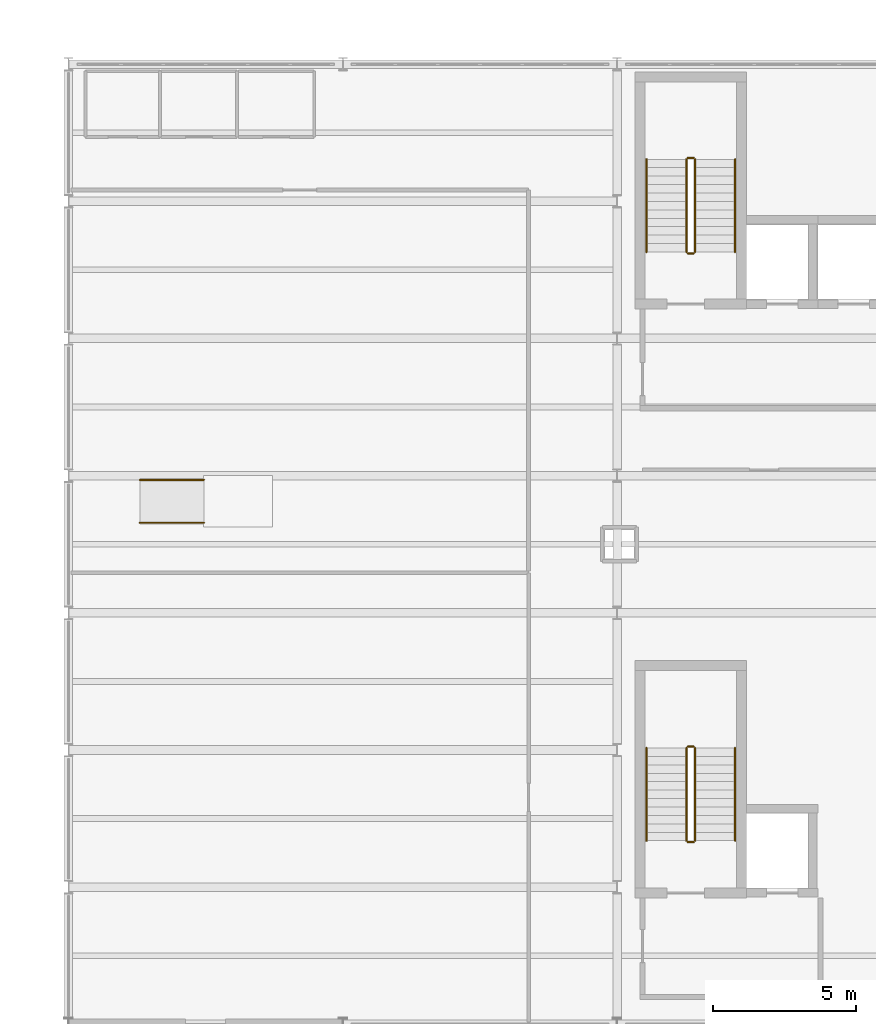
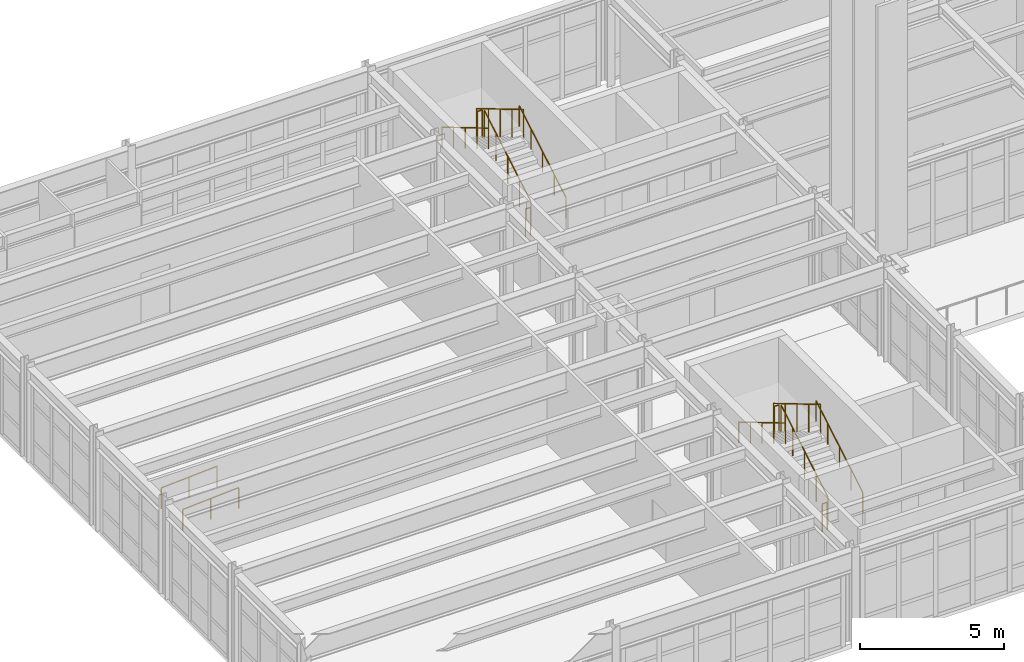
# One storey, part 45 of 47: 14 railings.
"""IFC4 building model written with IfcOpenShell, lengths in metres."""

from ifc_helpers import new_model, si_unit, direction, frame, origin, origin_2d, place, context, subcontext, project, spatial, circle, extrude, material, layer, layer_set, type_object, element, save


model = new_model("IFC4")

# Units and contexts
model_context = context("Model", 3, precision=1e-05, world=origin(), true_north=direction((0.0, 1.0)))
body_context = subcontext(model_context, "Body", "Model", "MODEL_VIEW")
ifc_project = project(units=[si_unit("LENGTHUNIT", "METRE"), si_unit("AREAUNIT", "SQUARE_METRE"), si_unit("VOLUMEUNIT", "CUBIC_METRE"), si_unit("PLANEANGLEUNIT", "RADIAN"), si_unit("MASSUNIT", "GRAM", prefix="KILO")], contexts=[model_context])

# Site, building, storey
site_placement = place(None, origin())
site = spatial("IfcSite", under=ifc_project, at=site_placement, CompositionType="ELEMENT")
building_placement = place(site_placement, origin())
building = spatial("IfcBuilding", under=site, at=building_placement, Name="Nordkorset Police Headquarters", CompositionType="ELEMENT")
storey_placement = place(building_placement, frame((0.0, 0.0, 22.050048828125)))
storey = spatial("IfcBuildingStorey", under=building, at=storey_placement, Name="L05", CompositionType="ELEMENT", Elevation=22.050048828125)

# Railings
ifc_material_1 = material(Name="Steel S355J2", Category="steel")
ifc_layer_1 = layer(ifc_material_1, 0.048095703125, Name="Steel S355J2")
ifc_layer_set_1 = layer_set([ifc_layer_1], Name="Steel S355J2")
railing_type_1 = type_object("IfcRailingType", Name="Railing_Handrail_900", PredefinedType="HANDRAIL", material=ifc_layer_set_1)
railing_1_placement = place(storey_placement, frame((23.324951171875, 110.22509765625, 0.175048828125)))
element("IfcRailing", 1, at=railing_1_placement, inside=storey, type_object=railing_type_1, Name="L05 ST-01 stair handrail 1", PredefinedType="HANDRAIL", context=body_context, shape_type="SweptSolid", body=[
    extrude(circle(Radius=0.02392578125, at=origin_2d()), frame((0.0, 0.0, 0.8759765625), z_axis=(0.0, 0.860068610471, 0.510178385746), x_axis=(-1.0, 0.0, 0.0)), (0.0, 0.0, 1.0), 3.772705078125),
    extrude(circle(Radius=0.02099609375, at=origin_2d()), origin(), (0.0, 0.0, 1.0), 0.851806640625),
    extrude(circle(Radius=0.02099609375, at=origin_2d()), frame((0.0, 0.811279296875, 0.481201171875)), (0.0, 0.0, 1.0), 0.851806640625),
    extrude(circle(Radius=0.02099609375, at=origin_2d()), frame((0.0, 1.62255859375, 0.96240234375)), (0.0, 0.0, 1.0), 0.851806640625),
    extrude(circle(Radius=0.02099609375, at=origin_2d()), frame((0.0, 2.43359375, 1.443603515625)), (0.0, 0.0, 1.0), 0.851806640625),
    extrude(circle(Radius=0.02099609375, at=origin_2d()), frame((0.0, 3.244873046875, 1.9248046875)), (0.0, 0.0, 1.0), 0.851806640625),
])
railing_2_placement = place(storey_placement, frame((20.22509765625, 113.469970703125, 2.27490234375)))
element("IfcRailing", 2, at=railing_2_placement, inside=storey, type_object=railing_type_1, Name="L05 ST-01 stair handrail 2", PredefinedType="HANDRAIL", context=body_context, shape_type="SweptSolid", body=[
    extrude(circle(Radius=0.02392578125, at=origin_2d()), frame((0.0, 0.0, 0.8759765625), z_axis=(0.0, -0.860040215814, 0.510226250974), x_axis=(1.0, 0.0, 0.0)), (0.0, 0.0, 1.0), 3.77294921875),
    extrude(circle(Radius=0.02099609375, at=origin_2d()), origin(), (0.0, 0.0, 1.0), 0.851806640625),
    extrude(circle(Radius=0.02099609375, at=origin_2d()), frame((0.0, -0.811279296875, 0.481201171875)), (0.0, 0.0, 1.0), 0.851806640625),
    extrude(circle(Radius=0.02099609375, at=origin_2d()), frame((0.0, -1.62255859375, 0.96240234375)), (0.0, 0.0, 1.0), 0.851806640625),
    extrude(circle(Radius=0.02099609375, at=origin_2d()), frame((0.0, -2.43359375, 1.44384765625)), (0.0, 0.0, 1.0), 0.851806640625),
    extrude(circle(Radius=0.02099609375, at=origin_2d()), frame((0.0, -3.244873046875, 1.925048828125)), (0.0, 0.0, 1.0), 0.851806640625),
])
railing_3_placement = place(storey_placement, frame((23.324951171875, 89.625, 0.175048828125)))
element("IfcRailing", 3, at=railing_3_placement, inside=storey, type_object=railing_type_1, Name="L05 ST-03 stair handrail 1", PredefinedType="HANDRAIL", context=body_context, shape_type="SweptSolid", body=[
    extrude(circle(Radius=0.02392578125, at=origin_2d()), frame((0.0, 0.0, 0.8759765625), z_axis=(0.0, 0.860085452069, 0.510149992786), x_axis=(-1.0, 0.0, 0.0)), (0.0, 0.0, 1.0), 3.77294921875),
    extrude(circle(Radius=0.02099609375, at=origin_2d()), origin(), (0.0, 0.0, 1.0), 0.851806640625),
    extrude(circle(Radius=0.02099609375, at=origin_2d()), frame((0.0, 0.811279296875, 0.481201171875)), (0.0, 0.0, 1.0), 0.851806640625),
    extrude(circle(Radius=0.02099609375, at=origin_2d()), frame((0.0, 1.62255859375, 0.96240234375)), (0.0, 0.0, 1.0), 0.851806640625),
    extrude(circle(Radius=0.02099609375, at=origin_2d()), frame((0.0, 2.433837890625, 1.443603515625)), (0.0, 0.0, 1.0), 0.851806640625),
    extrude(circle(Radius=0.02099609375, at=origin_2d()), frame((0.0, 3.2451171875, 1.9248046875)), (0.0, 0.0, 1.0), 0.851806640625),
])
railing_4_placement = place(storey_placement, frame((20.22509765625, 92.8701171875, 2.27490234375)))
element("IfcRailing", 4, at=railing_4_placement, inside=storey, type_object=railing_type_1, Name="L05 ST-03 stair handrail 2", PredefinedType="HANDRAIL", context=body_context, shape_type="SweptSolid", body=[
    extrude(circle(Radius=0.02392578125, at=origin_2d()), frame((0.0, 0.0, 0.8759765625), z_axis=(0.0, -0.860057060016, 0.510197857224), x_axis=(1.0, 0.0, 0.0)), (0.0, 0.0, 1.0), 3.773193359375),
    extrude(circle(Radius=0.02099609375, at=origin_2d()), origin(), (0.0, 0.0, 1.0), 0.851806640625),
    extrude(circle(Radius=0.02099609375, at=origin_2d()), frame((0.0, -0.811279296875, 0.481201171875)), (0.0, 0.0, 1.0), 0.851806640625),
    extrude(circle(Radius=0.02099609375, at=origin_2d()), frame((0.0, -1.62255859375, 0.96240234375)), (0.0, 0.0, 1.0), 0.851806640625),
    extrude(circle(Radius=0.02099609375, at=origin_2d()), frame((0.0, -2.433837890625, 1.44384765625)), (0.0, 0.0, 1.0), 0.851806640625),
    extrude(circle(Radius=0.02099609375, at=origin_2d()), frame((0.0, -3.2451171875, 1.925048828125)), (0.0, 0.0, 1.0), 0.851806640625),
])
for number, where, name in (
    (5, (2.5, 100.75, 0.0), "Hearing Room Dais Ramp Handrail S"),
    (6, (2.5, 102.25, 0.0), "Hearing Room Dais Ramp Handrail N"),
):
    element("IfcRailing", number, at=place(storey_placement, frame(where)), inside=storey, type_object=railing_type_1, Name=name, PredefinedType="HANDRAIL", context=body_context, shape_type="SweptSolid", body=[
        extrude(circle(Radius=0.02392578125, at=origin_2d()), frame((0.0, 0.0, 0.8759765625), z_axis=(0.998055540234, 0.0, 0.06233088006), x_axis=(0.0, 1.0, 0.0)), (0.0, 0.0, 1.0), 2.244384765625),
        extrude(circle(Radius=0.02099609375, at=origin_2d()), origin(), (0.0, 0.0, 1.0), 0.851806640625),
        extrude(circle(Radius=0.02099609375, at=origin_2d()), frame((1.1201171875, 0.0, 0.06982421875)), (0.0, 0.0, 1.0), 0.851806640625),
        extrude(circle(Radius=0.02099609375, at=origin_2d()), frame((2.239990234375, 0.0, 0.139892578125)), (0.0, 0.0, 1.0), 0.851806640625),
    ])
ifc_material_2 = material(Name="Steel S355J2", Category="steel")
ifc_layer_2 = layer(ifc_material_2, 0.050048828125, Name="Steel S355J2")
ifc_layer_set_2 = layer_set([ifc_layer_2], Name="Steel S355J2")
railing_type_2 = type_object("IfcRailingType", Name="Railing_StairGuard_1200", PredefinedType="GUARDRAIL", material=ifc_layer_set_2)
railing_5_placement = place(storey_placement, frame((21.925048828125, 110.22509765625, 0.175048828125)))
element("IfcRailing", 7, at=railing_5_placement, inside=storey, type_object=railing_type_2, Name="L05 ST-01 stair guard 1", PredefinedType="GUARDRAIL", context=body_context, shape_type="SweptSolid", body=[
    extrude(circle(Radius=0.02392578125, at=origin_2d()), frame((0.0, 0.0, 1.17578125), z_axis=(0.0, 0.860068610471, 0.510178385746), x_axis=(-1.0, 0.0, 0.0)), (0.0, 0.0, 1.0), 3.772705078125),
    extrude(circle(Radius=0.02099609375, at=origin_2d()), origin(), (0.0, 0.0, 1.0), 1.15185546875),
    extrude(circle(Radius=0.02099609375, at=origin_2d()), frame((0.0, 0.811279296875, 0.481201171875)), (0.0, 0.0, 1.0), 1.15185546875),
    extrude(circle(Radius=0.02099609375, at=origin_2d()), frame((0.0, 1.62255859375, 0.96240234375)), (0.0, 0.0, 1.0), 1.15185546875),
    extrude(circle(Radius=0.02099609375, at=origin_2d()), frame((0.0, 2.43359375, 1.443603515625)), (0.0, 0.0, 1.0), 1.15185546875),
    extrude(circle(Radius=0.02099609375, at=origin_2d()), frame((0.0, 3.244873046875, 1.9248046875)), (0.0, 0.0, 1.0), 1.15185546875),
])
railing_6_placement = place(storey_placement, frame((21.875, 113.52001953125, 2.099853515625)))
element("IfcRailing", 8, at=railing_6_placement, inside=storey, type_object=railing_type_2, Name="L05 ST-01 stair guard 2", PredefinedType="GUARDRAIL", context=body_context, shape_type="SweptSolid", body=[
    extrude(circle(Radius=0.02392578125, at=origin_2d()), frame((0.0, 0.0, 1.17578125), z_axis=(-1.0, 0.0, 0.0), x_axis=(0.0, -1.0, 0.0)), (0.0, 0.0, 1.0), 0.199951171875),
    extrude(circle(Radius=0.02099609375, at=origin_2d()), origin(), (0.0, 0.0, 1.0), 1.15185546875),
    extrude(circle(Radius=0.02099609375, at=origin_2d()), frame((-0.199951171875, 0.0, 0.0)), (0.0, 0.0, 1.0), 1.15185546875),
])
railing_7_placement = place(storey_placement, frame((21.625, 113.469970703125, 2.27490234375)))
element("IfcRailing", 9, at=railing_7_placement, inside=storey, type_object=railing_type_2, Name="L05 ST-01 stair guard 3", PredefinedType="GUARDRAIL", context=body_context, shape_type="SweptSolid", body=[
    extrude(circle(Radius=0.02392578125, at=origin_2d()), frame((0.0, 0.0, 1.17578125), z_axis=(0.0, -0.860040215814, 0.510226250974), x_axis=(1.0, 0.0, 0.0)), (0.0, 0.0, 1.0), 3.77294921875),
    extrude(circle(Radius=0.02099609375, at=origin_2d()), origin(), (0.0, 0.0, 1.0), 1.15185546875),
    extrude(circle(Radius=0.02099609375, at=origin_2d()), frame((0.0, -0.811279296875, 0.481201171875)), (0.0, 0.0, 1.0), 1.15185546875),
    extrude(circle(Radius=0.02099609375, at=origin_2d()), frame((0.0, -1.62255859375, 0.96240234375)), (0.0, 0.0, 1.0), 1.15185546875),
    extrude(circle(Radius=0.02099609375, at=origin_2d()), frame((0.0, -2.43359375, 1.44384765625)), (0.0, 0.0, 1.0), 1.15185546875),
    extrude(circle(Radius=0.02099609375, at=origin_2d()), frame((0.0, -3.244873046875, 1.925048828125)), (0.0, 0.0, 1.0), 1.15185546875),
])
railing_8_placement = place(storey_placement, frame((21.875, 110.175048828125, 0.0)))
element("IfcRailing", 10, at=railing_8_placement, inside=storey, type_object=railing_type_2, Name="L05 ST-01 stair guard 4", PredefinedType="GUARDRAIL", context=body_context, shape_type="SweptSolid", body=[
    extrude(circle(Radius=0.02392578125, at=origin_2d()), frame((0.0, 0.0, 1.17578125), z_axis=(-1.0, 0.0, 0.0), x_axis=(0.0, -1.0, 0.0)), (0.0, 0.0, 1.0), 0.199951171875),
    extrude(circle(Radius=0.02099609375, at=origin_2d()), origin(), (0.0, 0.0, 1.0), 1.15185546875),
    extrude(circle(Radius=0.02099609375, at=origin_2d()), frame((-0.199951171875, 0.0, 0.0)), (0.0, 0.0, 1.0), 1.15185546875),
])
railing_9_placement = place(storey_placement, frame((21.925048828125, 89.625, 0.175048828125)))
element("IfcRailing", 11, at=railing_9_placement, inside=storey, type_object=railing_type_2, Name="L05 ST-03 stair guard 1", PredefinedType="GUARDRAIL", context=body_context, shape_type="SweptSolid", body=[
    extrude(circle(Radius=0.02392578125, at=origin_2d()), frame((0.0, 0.0, 1.17578125), z_axis=(0.0, 0.860085452069, 0.510149992786), x_axis=(-1.0, 0.0, 0.0)), (0.0, 0.0, 1.0), 3.77294921875),
    extrude(circle(Radius=0.02099609375, at=origin_2d()), origin(), (0.0, 0.0, 1.0), 1.15185546875),
    extrude(circle(Radius=0.02099609375, at=origin_2d()), frame((0.0, 0.811279296875, 0.481201171875)), (0.0, 0.0, 1.0), 1.15185546875),
    extrude(circle(Radius=0.02099609375, at=origin_2d()), frame((0.0, 1.62255859375, 0.96240234375)), (0.0, 0.0, 1.0), 1.15185546875),
    extrude(circle(Radius=0.02099609375, at=origin_2d()), frame((0.0, 2.433837890625, 1.443603515625)), (0.0, 0.0, 1.0), 1.15185546875),
    extrude(circle(Radius=0.02099609375, at=origin_2d()), frame((0.0, 3.2451171875, 1.9248046875)), (0.0, 0.0, 1.0), 1.15185546875),
])
railing_10_placement = place(storey_placement, frame((21.875, 92.919921875, 2.099853515625)))
element("IfcRailing", 12, at=railing_10_placement, inside=storey, type_object=railing_type_2, Name="L05 ST-03 stair guard 2", PredefinedType="GUARDRAIL", context=body_context, shape_type="SweptSolid", body=[
    extrude(circle(Radius=0.02392578125, at=origin_2d()), frame((0.0, 0.0, 1.17578125), z_axis=(-1.0, 0.0, 0.0), x_axis=(0.0, -1.0, 0.0)), (0.0, 0.0, 1.0), 0.199951171875),
    extrude(circle(Radius=0.02099609375, at=origin_2d()), origin(), (0.0, 0.0, 1.0), 1.15185546875),
    extrude(circle(Radius=0.02099609375, at=origin_2d()), frame((-0.199951171875, 0.0, 0.0)), (0.0, 0.0, 1.0), 1.15185546875),
])
railing_11_placement = place(storey_placement, frame((21.625, 92.8701171875, 2.27490234375)))
element("IfcRailing", 13, at=railing_11_placement, inside=storey, type_object=railing_type_2, Name="L05 ST-03 stair guard 3", PredefinedType="GUARDRAIL", context=body_context, shape_type="SweptSolid", body=[
    extrude(circle(Radius=0.02392578125, at=origin_2d()), frame((0.0, 0.0, 1.17578125), z_axis=(0.0, -0.860057060016, 0.510197857224), x_axis=(1.0, 0.0, 0.0)), (0.0, 0.0, 1.0), 3.773193359375),
    extrude(circle(Radius=0.02099609375, at=origin_2d()), origin(), (0.0, 0.0, 1.0), 1.15185546875),
    extrude(circle(Radius=0.02099609375, at=origin_2d()), frame((0.0, -0.811279296875, 0.481201171875)), (0.0, 0.0, 1.0), 1.15185546875),
    extrude(circle(Radius=0.02099609375, at=origin_2d()), frame((0.0, -1.62255859375, 0.96240234375)), (0.0, 0.0, 1.0), 1.15185546875),
    extrude(circle(Radius=0.02099609375, at=origin_2d()), frame((0.0, -2.433837890625, 1.44384765625)), (0.0, 0.0, 1.0), 1.15185546875),
    extrude(circle(Radius=0.02099609375, at=origin_2d()), frame((0.0, -3.2451171875, 1.925048828125)), (0.0, 0.0, 1.0), 1.15185546875),
])
railing_12_placement = place(storey_placement, frame((21.875, 89.574951171875, 0.0)))
element("IfcRailing", 14, at=railing_12_placement, inside=storey, type_object=railing_type_2, Name="L05 ST-03 stair guard 4", PredefinedType="GUARDRAIL", context=body_context, shape_type="SweptSolid", body=[
    extrude(circle(Radius=0.02392578125, at=origin_2d()), frame((0.0, 0.0, 1.17578125), z_axis=(-1.0, 0.0, 0.0), x_axis=(0.0, -1.0, 0.0)), (0.0, 0.0, 1.0), 0.199951171875),
    extrude(circle(Radius=0.02099609375, at=origin_2d()), origin(), (0.0, 0.0, 1.0), 1.15185546875),
    extrude(circle(Radius=0.02099609375, at=origin_2d()), frame((-0.199951171875, 0.0, 0.0)), (0.0, 0.0, 1.0), 1.15185546875),
])

save(model, "model.ifc")
